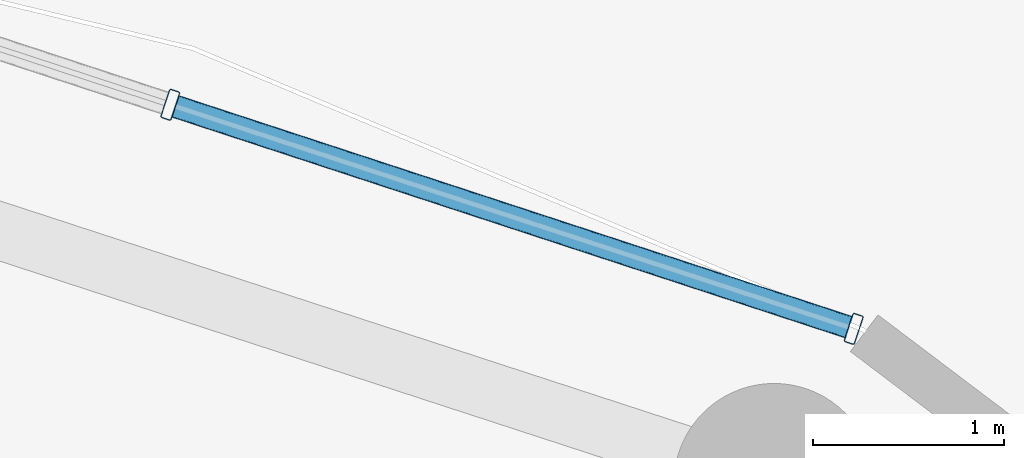
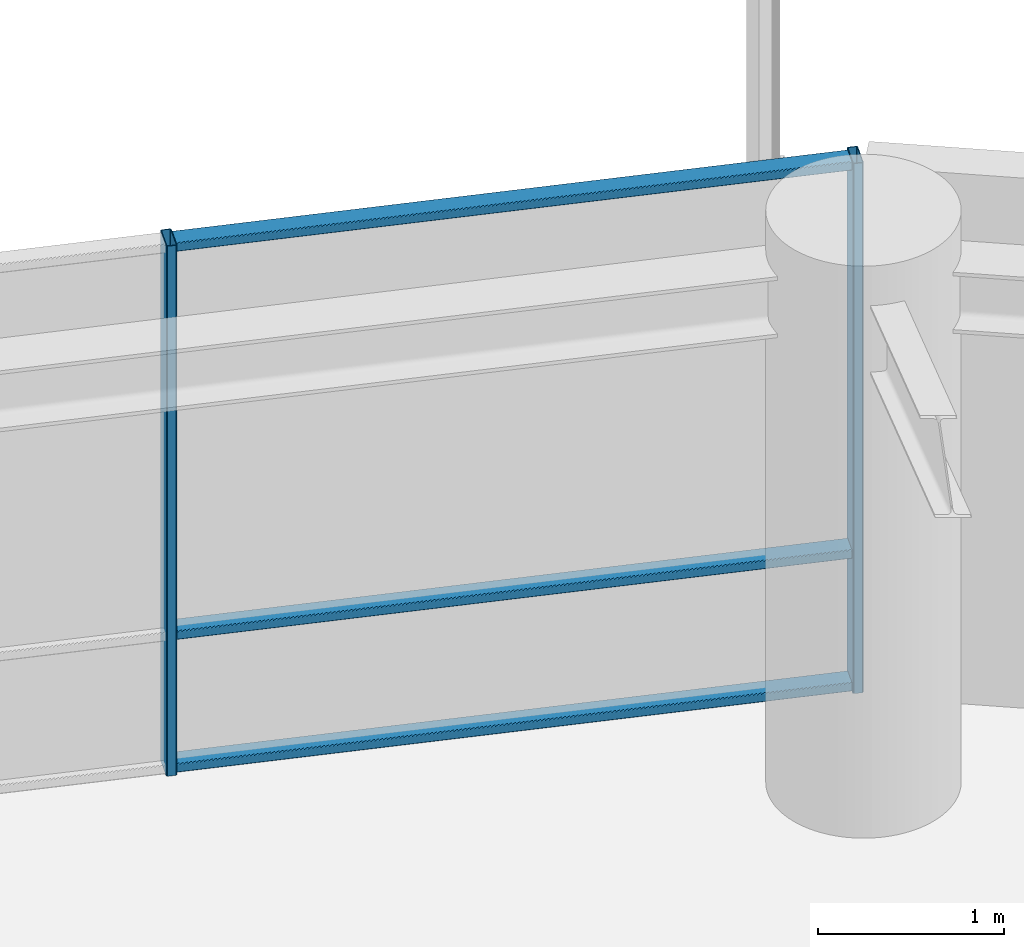
# One storey, part 21 of 30: 5 members, 1 element without a shape of its own.
"""IFC4 building model written with IfcOpenShell, lengths in metres."""

from ifc_helpers import new_model, si_unit, direction, frame, origin, origin_2d, place, context, subcontext, project, spatial, hollow_rectangle, extrude, material, layer, layer_set, material_profile, profile_set, type_object, element, aggregate, save


model = new_model("IFC4")

# Units and contexts
model_context = context("Model", 3, precision=1e-05, world=origin(), true_north=direction((0.0, 1.0)))
body_context = subcontext(model_context, "Body", "Model", "MODEL_VIEW")
ifc_project = project(units=[si_unit("LENGTHUNIT", "METRE"), si_unit("AREAUNIT", "SQUARE_METRE"), si_unit("VOLUMEUNIT", "CUBIC_METRE"), si_unit("PLANEANGLEUNIT", "RADIAN"), si_unit("MASSUNIT", "GRAM", prefix="KILO")], contexts=[model_context])

# Site, building, storey
site_placement = place(None, origin())
site = spatial("IfcSite", under=ifc_project, at=site_placement, CompositionType="ELEMENT")
building_placement = place(site_placement, origin())
building = spatial("IfcBuilding", under=site, at=building_placement, Name="Kelanora Arch Commons", CompositionType="ELEMENT")
storey_placement = place(building_placement, frame((0.0, 0.0, 204.449951171875)))
storey = spatial("IfcBuildingStorey", under=building, at=storey_placement, Name="L52", CompositionType="ELEMENT", Elevation=204.449951171875)

# Curtain wall, members
ifc_material_1 = material(Name="Terracotta ceramic-fritted low-E glass and aluminium", Category="masonry")
ifc_layer = layer(ifc_material_1, 0.175048828125)
ifc_layer_set = layer_set([ifc_layer], Name="Terracotta ceramic-fritted low-E glass and aluminium")
curtain_wall_type = type_object("IfcCurtainWallType", Name="CW-SYS-02", PredefinedType="NOTDEFINED", material=ifc_layer_set)
curtain_wall_placement = place(storey_placement, origin())
curtain_wall = element("IfcCurtainWall", 1, at=curtain_wall_placement, inside=storey, type_object=curtain_wall_type, Name="Unitised Curtain Wall L52-B03", PredefinedType="NOTDEFINED")
ifc_material_2 = material(Name="Powder-coated aluminium terracotta", Category="masonry")
ifc_material_profile_1 = material_profile(ifc_material_2, hollow_rectangle(XDim=0.159912109375, YDim=0.06005859375, WallThickness=0.0048828125, InnerFilletRadius=0.0048828125, OuterFilletRadius=0.010009765625, at=origin_2d()), Name="CWM160x60")
ifc_profile_set_1 = profile_set([ifc_material_profile_1], Name="Powder-coated aluminium terracotta")
member_type_1 = type_object("IfcMemberType", Name="CWM-STD", PredefinedType="MULLION", material=ifc_profile_set_1)
member_1_placement = place(storey_placement, frame((85.05712890625, 75.33447265625, 0.0), z_axis=(0.0, 0.0, 1.0), x_axis=(-0.311582439059, -0.950219124029, 0.0)))
member_1 = element("IfcMember", 2, at=member_1_placement, type_object=member_type_1, Name="CW-02 mullion 1", PredefinedType="MULLION", context=body_context, shape_type="SweptSolid", body=[
    extrude(hollow_rectangle(XDim=0.159912109375, YDim=0.06005859375, WallThickness=0.0048828125, InnerFilletRadius=0.0048828125, OuterFilletRadius=0.010009765625, at=origin_2d()), origin(), (0.0, 0.0, 1.0), 3.47509765625),
])
member_2_placement = place(storey_placement, frame((81.4775390625, 76.50830078125, 0.0), z_axis=(0.0, 0.0, 1.0), x_axis=(-0.311582439059, -0.950219124029, 0.0)))
member_2 = element("IfcMember", 3, at=member_2_placement, type_object=member_type_1, Name="CW-02 mullion 2", PredefinedType="MULLION", context=body_context, shape_type="SweptSolid", body=[
    extrude(hollow_rectangle(XDim=0.159912109375, YDim=0.06005859375, WallThickness=0.0048828125, InnerFilletRadius=0.0048828125, OuterFilletRadius=0.010009765625, at=origin_2d()), origin(), (0.0, 0.0, 1.0), 3.47509765625),
])
ifc_material_profile_2 = material_profile(ifc_material_2, hollow_rectangle(XDim=0.1201171875, YDim=0.06005859375, WallThickness=0.0048828125, InnerFilletRadius=0.0048828125, OuterFilletRadius=0.010009765625, at=origin_2d()), Name="CWT120x60")
ifc_profile_set_2 = profile_set([ifc_material_profile_2], Name="Powder-coated aluminium terracotta")
member_type_2 = type_object("IfcMemberType", Name="CWT-STD", PredefinedType="USERDEFINED", material=ifc_profile_set_2)
member_3_placement = place(storey_placement, frame((85.02880859375, 75.343994140625, 0.030029296875), z_axis=(-0.950226025222, 0.311561392011, 0.0), x_axis=(-0.311561392011, -0.950226025222, 0.0)))
member_3 = element("IfcMember", 4, at=member_3_placement, type_object=member_type_2, Name="CW-02 transom 1.1", ObjectType="TRANSOM", PredefinedType="USERDEFINED", context=body_context, shape_type="SweptSolid", body=[
    extrude(hollow_rectangle(XDim=0.1201171875, YDim=0.06005859375, WallThickness=0.0048828125, InnerFilletRadius=0.0048828125, OuterFilletRadius=0.010009765625, at=origin_2d()), origin(), (0.0, 0.0, 1.0), 3.707275390625),
])
member_4_placement = place(storey_placement, frame((85.02880859375, 75.343994140625, 0.900146484375), z_axis=(-0.950226025222, 0.311561392011, 0.0), x_axis=(-0.311561392011, -0.950226025222, 0.0)))
member_4 = element("IfcMember", 5, at=member_4_placement, type_object=member_type_2, Name="CW-02 transom 1.2", ObjectType="TRANSOM", PredefinedType="USERDEFINED", context=body_context, shape_type="SweptSolid", body=[
    extrude(hollow_rectangle(XDim=0.1201171875, YDim=0.06005859375, WallThickness=0.0048828125, InnerFilletRadius=0.0048828125, OuterFilletRadius=0.010009765625, at=origin_2d()), origin(), (0.0, 0.0, 1.0), 3.707275390625),
])
member_5_placement = place(storey_placement, frame((85.02880859375, 75.343994140625, 3.445068359375), z_axis=(-0.950226025222, 0.311561392011, 0.0), x_axis=(-0.311561392011, -0.950226025222, 0.0)))
member_5 = element("IfcMember", 6, at=member_5_placement, type_object=member_type_2, Name="CW-02 transom 1.3", ObjectType="TRANSOM", PredefinedType="USERDEFINED", context=body_context, shape_type="SweptSolid", body=[
    extrude(hollow_rectangle(XDim=0.1201171875, YDim=0.06005859375, WallThickness=0.0048828125, InnerFilletRadius=0.0048828125, OuterFilletRadius=0.010009765625, at=origin_2d()), origin(), (0.0, 0.0, 1.0), 3.707275390625),
])
aggregate(curtain_wall, [member_1, member_2, member_3, member_4, member_5])

save(model, "model.ifc")
